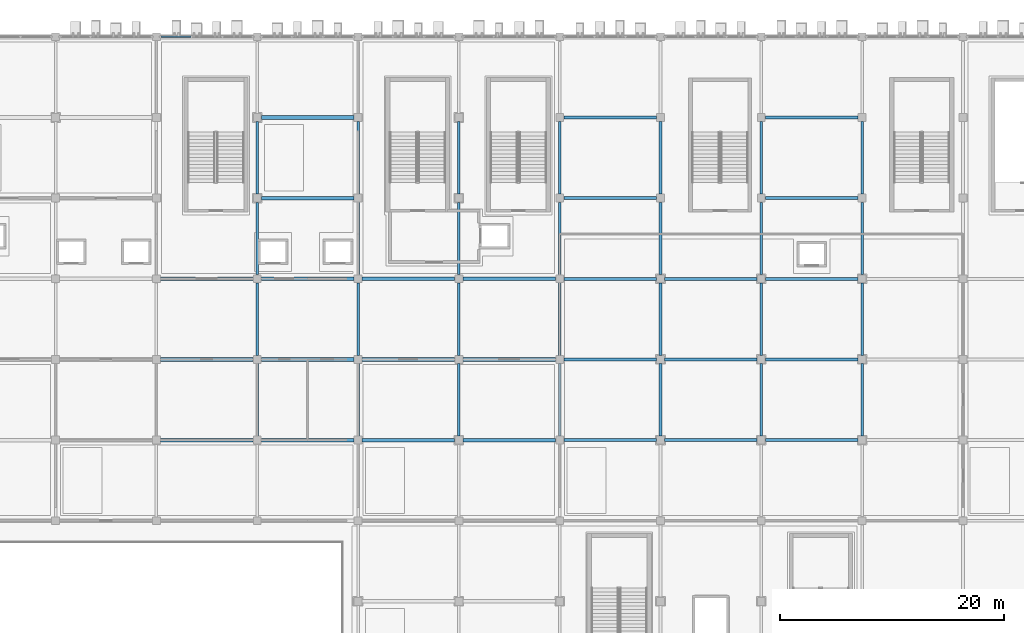
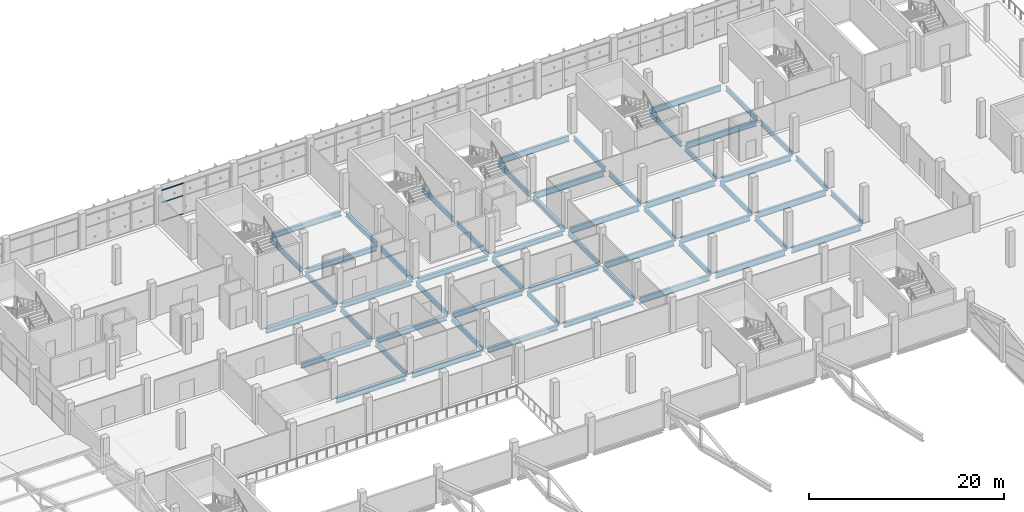
# One storey, part 73 of 151: 55 beams, 3 members, 1 element without a shape of its own.
"""IFC4 building model written with IfcOpenShell, lengths in metres."""

from ifc_helpers import new_model, si_unit, direction, frame, origin, origin_2d, place, context, subcontext, project, spatial, hollow_rectangle, i_section, extrude, material, layer, layer_set, material_profile, profile_set, type_object, element, aggregate, save


model = new_model("IFC4")

# Units and contexts
model_context = context("Model", 3, precision=1e-05, world=origin(), true_north=direction((0.0, 1.0)))
body_context = subcontext(model_context, "Body", "Model", "MODEL_VIEW")
ifc_project = project(units=[si_unit("LENGTHUNIT", "METRE"), si_unit("AREAUNIT", "SQUARE_METRE"), si_unit("VOLUMEUNIT", "CUBIC_METRE"), si_unit("PLANEANGLEUNIT", "RADIAN"), si_unit("MASSUNIT", "GRAM", prefix="KILO")], contexts=[model_context])

# Site, building, storey
site_placement = place(None, origin())
site = spatial("IfcSite", under=ifc_project, at=site_placement, CompositionType="ELEMENT")
building_placement = place(site_placement, origin())
building = spatial("IfcBuilding", under=site, at=building_placement, Name="Celestram Park Convention Centre", CompositionType="ELEMENT")
storey_placement = place(building_placement, frame((0.0, 0.0, 10.800048828125)))
storey = spatial("IfcBuildingStorey", under=building, at=storey_placement, Name="L02", CompositionType="ELEMENT", Elevation=10.800048828125)

# Curtain wall, members
ifc_material_1 = material(Name="Anodised Aluminium Alloy 6063-T6", Category="aluminium")
ifc_layer = layer(ifc_material_1, 0.179931640625)
ifc_layer_set = layer_set([ifc_layer], Name="Anodised Aluminium Alloy 6063-T6")
curtain_wall_type = type_object("IfcCurtainWallType", Name="ARC-CW-830X389", PredefinedType="NOTDEFINED", material=ifc_layer_set)
curtain_wall_placement = place(storey_placement, origin())
curtain_wall = element("IfcCurtainWall", 1, at=curtain_wall_placement, inside=storey, type_object=curtain_wall_type, Name="Unitised curtain wall CU-L02-153", PredefinedType="NOTDEFINED")
ifc_material_profile_1 = material_profile(ifc_material_1, hollow_rectangle(XDim=0.14990234375, YDim=0.06494140625, WallThickness=0.0029296875, at=origin_2d()), Name="ALU150X65X3")
ifc_profile_set_1 = profile_set([ifc_material_profile_1], Name="Anodised Aluminium Alloy 6063-T6")
member_type = type_object("IfcMemberType", Name="ARC-CWT-150", PredefinedType="USERDEFINED", material=ifc_profile_set_1)
member_1_placement = place(storey_placement, frame((63.423095703125, 165.60009765625, 0.032470703125), z_axis=(1.0, 0.0, 0.0), x_axis=(0.0, 1.0, 0.0)))
member_1 = element("IfcMember", 2, at=member_1_placement, type_object=member_type, Name="CW-83X38 transom 1.1", ObjectType="TRANSOM", PredefinedType="USERDEFINED", context=body_context, shape_type="SweptSolid", body=[
    extrude(hollow_rectangle(XDim=0.14990234375, YDim=0.06494140625, WallThickness=0.0029296875, at=origin_2d()), origin(), (0.0, 0.0, 1.0), 2.655517578125),
])
member_2_placement = place(storey_placement, frame((63.423095703125, 165.60009765625, 2.3359375), z_axis=(1.0, 0.0, 0.0), x_axis=(0.0, 1.0, 0.0)))
member_2 = element("IfcMember", 3, at=member_2_placement, type_object=member_type, Name="CW-83X38 transom 1.2", ObjectType="TRANSOM", PredefinedType="USERDEFINED", context=body_context, shape_type="SweptSolid", body=[
    extrude(hollow_rectangle(XDim=0.14990234375, YDim=0.06494140625, WallThickness=0.0029296875, at=origin_2d()), origin(), (0.0, 0.0, 1.0), 2.655517578125),
])
member_3_placement = place(storey_placement, frame((63.423095703125, 165.60009765625, 3.861572265625), z_axis=(1.0, 0.0, 0.0), x_axis=(0.0, 1.0, 0.0)))
member_3 = element("IfcMember", 4, at=member_3_placement, type_object=member_type, Name="CW-83X38 transom 1.3", ObjectType="TRANSOM", PredefinedType="USERDEFINED", context=body_context, shape_type="SweptSolid", body=[
    extrude(hollow_rectangle(XDim=0.14990234375, YDim=0.06494140625, WallThickness=0.0029296875, at=origin_2d()), origin(), (0.0, 0.0, 1.0), 2.655517578125),
])
aggregate(curtain_wall, [member_1, member_2, member_3])

# Beams
ifc_material_2 = material(Name="Steel ASTM A992 Grade 50", Category="steel")
ifc_material_profile_2 = material_profile(ifc_material_2, i_section(OverallWidth=0.327880859375, OverallDepth=0.6220703125, WebThickness=0.015380859375, FlangeThickness=0.0244140625, at=origin_2d()), Name="W24X131")
ifc_profile_set_2 = profile_set([ifc_material_profile_2], Name="Steel ASTM A992 Grade 50")
beam_type_1 = type_object("IfcBeamType", Name="STR-BM-W24X131", PredefinedType="BEAM", material=ifc_profile_set_2)
for number, where, z_axis, x_axis, name in (
    (5, (63.373046875, 129.60009765625, -0.591064453125), (1.0, 0.0, 0.0), (0.0, 1.0, 0.0), "Primary X-girder BG-L02-0057"),
    (6, (63.373046875, 136.800048828125, -0.591064453125), (1.0, 0.0, 0.0), (0.0, 1.0, 0.0), "Primary X-girder BG-L02-0059"),
    (7, (63.373046875, 144.0, -0.591064453125), (1.0, 0.0, 0.0), (0.0, 1.0, 0.0), "Primary X-girder BG-L02-0061"),
    (8, (72.373046875, 129.60009765625, -0.591064453125), (1.0, 0.0, 0.0), (0.0, 1.0, 0.0), "Primary X-girder BG-L02-0069"),
    (9, (72.373046875, 136.800048828125, -0.591064453125), (1.0, 0.0, 0.0), (0.0, 1.0, 0.0), "Primary X-girder BG-L02-0071"),
    (10, (72.373046875, 144.0, -0.591064453125), (1.0, 0.0, 0.0), (0.0, 1.0, 0.0), "Primary X-girder BG-L02-0073"),
    (11, (72.373046875, 151.199951171875, -0.591064453125), (1.0, 0.0, 0.0), (0.0, 1.0, 0.0), "Primary X-girder BG-L02-0075"),
    (12, (72.373046875, 158.39990234375, -0.591064453125), (1.0, 0.0, 0.0), (0.0, 1.0, 0.0), "Primary X-girder BG-L02-0077"),
    (13, (81.373046875, 129.60009765625, -0.591064453125), (1.0, 0.0, 0.0), (0.0, 1.0, 0.0), "Primary X-girder BG-L02-0086"),
    (14, (81.373046875, 136.800048828125, -0.591064453125), (1.0, 0.0, 0.0), (0.0, 1.0, 0.0), "Primary X-girder BG-L02-0088"),
    (15, (81.373046875, 144.0, -0.591064453125), (1.0, 0.0, 0.0), (0.0, 1.0, 0.0), "Primary X-girder BG-L02-0090"),
    (16, (90.373046875, 129.60009765625, -0.591064453125), (1.0, 0.0, 0.0), (0.0, 1.0, 0.0), "Primary X-girder BG-L02-0101"),
    (17, (90.373046875, 136.800048828125, -0.591064453125), (1.0, 0.0, 0.0), (0.0, 1.0, 0.0), "Primary X-girder BG-L02-0103"),
    (18, (90.373046875, 144.0, -0.591064453125), (1.0, 0.0, 0.0), (0.0, 1.0, 0.0), "Primary X-girder BG-L02-0105"),
):
    element("IfcBeam", number, at=place(storey_placement, frame(where, z_axis=z_axis, x_axis=x_axis)), inside=storey, type_object=beam_type_1, Name=name, PredefinedType="BEAM", context=body_context, shape_type="SweptSolid", body=[
        extrude(i_section(OverallWidth=0.327880859375, OverallDepth=0.6220703125, WebThickness=0.015380859375, FlangeThickness=0.0244140625, at=origin_2d()), origin(), (0.0, 0.0, 1.0), 8.25390625),
    ])
ifc_material_profile_3 = material_profile(ifc_material_2, i_section(OverallWidth=0.22900390625, OverallDepth=0.612060546875, WebThickness=0.011962890625, FlangeThickness=0.01953125, at=origin_2d()), Name="W24X84")
ifc_profile_set_3 = profile_set([ifc_material_profile_3], Name="Steel ASTM A992 Grade 50")
beam_type_2 = type_object("IfcBeamType", Name="STR-BM-W24X84", PredefinedType="BEAM", material=ifc_profile_set_3)
beam_1_placement = place(storey_placement, frame((72.0, 129.972900390625, -0.5859375), z_axis=(0.0, 1.0, 0.0), x_axis=(-1.0, 0.0, 0.0)))
element("IfcBeam", 19, at=beam_1_placement, inside=storey, type_object=beam_type_2, Name="Primary Y-girder BG-L02-0070", PredefinedType="BEAM", context=body_context, shape_type="SweptSolid", body=[
    extrude(i_section(OverallWidth=0.22900390625, OverallDepth=0.612060546875, WebThickness=0.011962890625, FlangeThickness=0.01953125, at=origin_2d()), origin(), (0.0, 0.0, 1.0), 6.4541015625),
])
for number, where, z_axis, x_axis, name in (
    (20, (72.0, 137.173095703125, -0.5859375), (0.0, 1.0, 0.0), (-1.0, 0.0, 0.0), "Primary Y-girder BG-L02-0072"),
    (21, (72.0, 144.373046875, -0.5859375), (0.0, 1.0, 0.0), (-1.0, 0.0, 0.0), "Primary Y-girder BG-L02-0074"),
):
    element("IfcBeam", number, at=place(storey_placement, frame(where, z_axis=z_axis, x_axis=x_axis)), inside=storey, type_object=beam_type_2, Name=name, PredefinedType="BEAM", context=body_context, shape_type="SweptSolid", body=[
        extrude(i_section(OverallWidth=0.22900390625, OverallDepth=0.612060546875, WebThickness=0.011962890625, FlangeThickness=0.01953125, at=origin_2d()), origin(), (0.0, 0.0, 1.0), 6.453857421875),
    ])
for number, where, z_axis, x_axis, name in (
    (22, (72.0, 151.572998046875, -0.5859375), (0.0, 1.0, 0.0), (-1.0, 0.0, 0.0), "Primary Y-girder BG-L02-0076"),
    (23, (81.0, 129.972900390625, -0.5859375), (0.0, 1.0, 0.0), (-1.0, 0.0, 0.0), "Primary Y-girder BG-L02-0087"),
):
    element("IfcBeam", number, at=place(storey_placement, frame(where, z_axis=z_axis, x_axis=x_axis)), inside=storey, type_object=beam_type_2, Name=name, PredefinedType="BEAM", context=body_context, shape_type="SweptSolid", body=[
        extrude(i_section(OverallWidth=0.22900390625, OverallDepth=0.612060546875, WebThickness=0.011962890625, FlangeThickness=0.01953125, at=origin_2d()), origin(), (0.0, 0.0, 1.0), 6.4541015625),
    ])
for number, where, z_axis, x_axis, name in (
    (24, (81.0, 137.173095703125, -0.5859375), (0.0, 1.0, 0.0), (-1.0, 0.0, 0.0), "Primary Y-girder BG-L02-0089"),
    (25, (81.0, 144.373046875, -0.5859375), (0.0, 1.0, 0.0), (-1.0, 0.0, 0.0), "Primary Y-girder BG-L02-0091"),
):
    element("IfcBeam", number, at=place(storey_placement, frame(where, z_axis=z_axis, x_axis=x_axis)), inside=storey, type_object=beam_type_2, Name=name, PredefinedType="BEAM", context=body_context, shape_type="SweptSolid", body=[
        extrude(i_section(OverallWidth=0.22900390625, OverallDepth=0.612060546875, WebThickness=0.011962890625, FlangeThickness=0.01953125, at=origin_2d()), origin(), (0.0, 0.0, 1.0), 6.453857421875),
    ])
for number, where, z_axis, x_axis, name in (
    (26, (81.0, 151.572998046875, -0.5859375), (0.0, 1.0, 0.0), (-1.0, 0.0, 0.0), "Primary Y-girder BG-L02-0092"),
    (27, (90.0, 129.972900390625, -0.5859375), (0.0, 1.0, 0.0), (-1.0, 0.0, 0.0), "Primary Y-girder BG-L02-0102"),
):
    element("IfcBeam", number, at=place(storey_placement, frame(where, z_axis=z_axis, x_axis=x_axis)), inside=storey, type_object=beam_type_2, Name=name, PredefinedType="BEAM", context=body_context, shape_type="SweptSolid", body=[
        extrude(i_section(OverallWidth=0.22900390625, OverallDepth=0.612060546875, WebThickness=0.011962890625, FlangeThickness=0.01953125, at=origin_2d()), origin(), (0.0, 0.0, 1.0), 6.4541015625),
    ])
for number, where, z_axis, x_axis, name in (
    (28, (90.0, 137.173095703125, -0.5859375), (0.0, 1.0, 0.0), (-1.0, 0.0, 0.0), "Primary Y-girder BG-L02-0104"),
    (29, (90.0, 144.373046875, -0.5859375), (0.0, 1.0, 0.0), (-1.0, 0.0, 0.0), "Primary Y-girder BG-L02-0106"),
):
    element("IfcBeam", number, at=place(storey_placement, frame(where, z_axis=z_axis, x_axis=x_axis)), inside=storey, type_object=beam_type_2, Name=name, PredefinedType="BEAM", context=body_context, shape_type="SweptSolid", body=[
        extrude(i_section(OverallWidth=0.22900390625, OverallDepth=0.612060546875, WebThickness=0.011962890625, FlangeThickness=0.01953125, at=origin_2d()), origin(), (0.0, 0.0, 1.0), 6.453857421875),
    ])
for number, where, z_axis, x_axis, name in (
    (30, (90.0, 151.572998046875, -0.5859375), (0.0, 1.0, 0.0), (-1.0, 0.0, 0.0), "Primary Y-girder BG-L02-0107"),
    (31, (99.0, 129.972900390625, -0.5859375), (0.0, 1.0, 0.0), (-1.0, 0.0, 0.0), "Primary Y-girder BG-L02-0116"),
):
    element("IfcBeam", number, at=place(storey_placement, frame(where, z_axis=z_axis, x_axis=x_axis)), inside=storey, type_object=beam_type_2, Name=name, PredefinedType="BEAM", context=body_context, shape_type="SweptSolid", body=[
        extrude(i_section(OverallWidth=0.22900390625, OverallDepth=0.612060546875, WebThickness=0.011962890625, FlangeThickness=0.01953125, at=origin_2d()), origin(), (0.0, 0.0, 1.0), 6.4541015625),
    ])
for number, where, z_axis, x_axis, name in (
    (32, (99.0, 137.173095703125, -0.5859375), (0.0, 1.0, 0.0), (-1.0, 0.0, 0.0), "Primary Y-girder BG-L02-0118"),
    (33, (99.0, 144.373046875, -0.5859375), (0.0, 1.0, 0.0), (-1.0, 0.0, 0.0), "Primary Y-girder BG-L02-0120"),
):
    element("IfcBeam", number, at=place(storey_placement, frame(where, z_axis=z_axis, x_axis=x_axis)), inside=storey, type_object=beam_type_2, Name=name, PredefinedType="BEAM", context=body_context, shape_type="SweptSolid", body=[
        extrude(i_section(OverallWidth=0.22900390625, OverallDepth=0.612060546875, WebThickness=0.011962890625, FlangeThickness=0.01953125, at=origin_2d()), origin(), (0.0, 0.0, 1.0), 6.453857421875),
    ])
for number, where, z_axis, x_axis, name in (
    (34, (99.0, 151.572998046875, -0.5859375), (0.0, 1.0, 0.0), (-1.0, 0.0, 0.0), "Primary Y-girder BG-L02-0122"),
    (35, (108.0, 129.972900390625, -0.5859375), (0.0, 1.0, 0.0), (-1.0, 0.0, 0.0), "Primary Y-girder BG-L02-0132"),
):
    element("IfcBeam", number, at=place(storey_placement, frame(where, z_axis=z_axis, x_axis=x_axis)), inside=storey, type_object=beam_type_2, Name=name, PredefinedType="BEAM", context=body_context, shape_type="SweptSolid", body=[
        extrude(i_section(OverallWidth=0.22900390625, OverallDepth=0.612060546875, WebThickness=0.011962890625, FlangeThickness=0.01953125, at=origin_2d()), origin(), (0.0, 0.0, 1.0), 6.4541015625),
    ])
for number, where, z_axis, x_axis, name in (
    (36, (108.0, 137.173095703125, -0.5859375), (0.0, 1.0, 0.0), (-1.0, 0.0, 0.0), "Primary Y-girder BG-L02-0134"),
    (37, (108.0, 144.373046875, -0.5859375), (0.0, 1.0, 0.0), (-1.0, 0.0, 0.0), "Primary Y-girder BG-L02-0136"),
):
    element("IfcBeam", number, at=place(storey_placement, frame(where, z_axis=z_axis, x_axis=x_axis)), inside=storey, type_object=beam_type_2, Name=name, PredefinedType="BEAM", context=body_context, shape_type="SweptSolid", body=[
        extrude(i_section(OverallWidth=0.22900390625, OverallDepth=0.612060546875, WebThickness=0.011962890625, FlangeThickness=0.01953125, at=origin_2d()), origin(), (0.0, 0.0, 1.0), 6.453857421875),
    ])
for number, where, z_axis, x_axis, name in (
    (38, (108.0, 151.572998046875, -0.5859375), (0.0, 1.0, 0.0), (-1.0, 0.0, 0.0), "Primary Y-girder BG-L02-0137"),
    (39, (117.0, 129.972900390625, -0.5859375), (0.0, 1.0, 0.0), (-1.0, 0.0, 0.0), "Primary Y-girder BG-L02-0146"),
):
    element("IfcBeam", number, at=place(storey_placement, frame(where, z_axis=z_axis, x_axis=x_axis)), inside=storey, type_object=beam_type_2, Name=name, PredefinedType="BEAM", context=body_context, shape_type="SweptSolid", body=[
        extrude(i_section(OverallWidth=0.22900390625, OverallDepth=0.612060546875, WebThickness=0.011962890625, FlangeThickness=0.01953125, at=origin_2d()), origin(), (0.0, 0.0, 1.0), 6.4541015625),
    ])
for number, where, z_axis, x_axis, name in (
    (40, (117.0, 137.173095703125, -0.5859375), (0.0, 1.0, 0.0), (-1.0, 0.0, 0.0), "Primary Y-girder BG-L02-0148"),
    (41, (117.0, 144.373046875, -0.5859375), (0.0, 1.0, 0.0), (-1.0, 0.0, 0.0), "Primary Y-girder BG-L02-0150"),
):
    element("IfcBeam", number, at=place(storey_placement, frame(where, z_axis=z_axis, x_axis=x_axis)), inside=storey, type_object=beam_type_2, Name=name, PredefinedType="BEAM", context=body_context, shape_type="SweptSolid", body=[
        extrude(i_section(OverallWidth=0.22900390625, OverallDepth=0.612060546875, WebThickness=0.011962890625, FlangeThickness=0.01953125, at=origin_2d()), origin(), (0.0, 0.0, 1.0), 6.453857421875),
    ])
for number, where, z_axis, x_axis, name in (
    (42, (117.0, 151.572998046875, -0.5859375), (0.0, 1.0, 0.0), (-1.0, 0.0, 0.0), "Primary Y-girder BG-L02-0152"),
    (43, (126.0, 129.972900390625, -0.5859375), (0.0, 1.0, 0.0), (-1.0, 0.0, 0.0), "Primary Y-girder BG-L02-0186"),
):
    element("IfcBeam", number, at=place(storey_placement, frame(where, z_axis=z_axis, x_axis=x_axis)), inside=storey, type_object=beam_type_2, Name=name, PredefinedType="BEAM", context=body_context, shape_type="SweptSolid", body=[
        extrude(i_section(OverallWidth=0.22900390625, OverallDepth=0.612060546875, WebThickness=0.011962890625, FlangeThickness=0.01953125, at=origin_2d()), origin(), (0.0, 0.0, 1.0), 6.4541015625),
    ])
for number, where, z_axis, x_axis, name in (
    (44, (126.0, 137.173095703125, -0.5859375), (0.0, 1.0, 0.0), (-1.0, 0.0, 0.0), "Primary Y-girder BG-L02-0188"),
    (45, (126.0, 144.373046875, -0.5859375), (0.0, 1.0, 0.0), (-1.0, 0.0, 0.0), "Primary Y-girder BG-L02-0190"),
):
    element("IfcBeam", number, at=place(storey_placement, frame(where, z_axis=z_axis, x_axis=x_axis)), inside=storey, type_object=beam_type_2, Name=name, PredefinedType="BEAM", context=body_context, shape_type="SweptSolid", body=[
        extrude(i_section(OverallWidth=0.22900390625, OverallDepth=0.612060546875, WebThickness=0.011962890625, FlangeThickness=0.01953125, at=origin_2d()), origin(), (0.0, 0.0, 1.0), 6.453857421875),
    ])
beam_2_placement = place(storey_placement, frame((126.0, 151.572998046875, -0.5859375), z_axis=(0.0, 1.0, 0.0), x_axis=(-1.0, 0.0, 0.0)))
element("IfcBeam", 46, at=beam_2_placement, inside=storey, type_object=beam_type_2, Name="Primary Y-girder BG-L02-0191", PredefinedType="BEAM", context=body_context, shape_type="SweptSolid", body=[
    extrude(i_section(OverallWidth=0.22900390625, OverallDepth=0.612060546875, WebThickness=0.011962890625, FlangeThickness=0.01953125, at=origin_2d()), origin(), (0.0, 0.0, 1.0), 6.4541015625),
])
ifc_material_profile_4 = material_profile(ifc_material_2, i_section(OverallWidth=0.26708984375, OverallDepth=0.761962890625, WebThickness=0.014404296875, FlangeThickness=0.021484375, at=origin_2d()), Name="W30X116")
ifc_profile_set_4 = profile_set([ifc_material_profile_4], Name="Steel ASTM A992 Grade 50")
beam_type_3 = type_object("IfcBeamType", Name="STR-BM-W30X116", PredefinedType="BEAM", material=ifc_profile_set_4)
for number, where, z_axis, x_axis, name in (
    (47, (99.373046875, 129.60009765625, -0.6611328125), (1.0, 0.0, 0.0), (0.0, 1.0, 0.0), "Primary X-girder BG-L02-0115"),
    (48, (99.373046875, 136.800048828125, -0.6611328125), (1.0, 0.0, 0.0), (0.0, 1.0, 0.0), "Primary X-girder BG-L02-0117"),
    (49, (99.373046875, 144.0, -0.6611328125), (1.0, 0.0, 0.0), (0.0, 1.0, 0.0), "Primary X-girder BG-L02-0119"),
    (50, (99.373046875, 151.199951171875, -0.6611328125), (1.0, 0.0, 0.0), (0.0, 1.0, 0.0), "Primary X-girder BG-L02-0121"),
    (51, (99.373046875, 158.39990234375, -0.6611328125), (1.0, 0.0, 0.0), (0.0, 1.0, 0.0), "Primary X-girder BG-L02-0123"),
    (52, (108.373046875, 129.60009765625, -0.6611328125), (1.0, 0.0, 0.0), (0.0, 1.0, 0.0), "Primary X-girder BG-L02-0131"),
    (53, (108.373046875, 136.800048828125, -0.6611328125), (1.0, 0.0, 0.0), (0.0, 1.0, 0.0), "Primary X-girder BG-L02-0133"),
    (54, (108.373046875, 144.0, -0.6611328125), (1.0, 0.0, 0.0), (0.0, 1.0, 0.0), "Primary X-girder BG-L02-0135"),
    (55, (117.373046875, 129.60009765625, -0.6611328125), (1.0, 0.0, 0.0), (0.0, 1.0, 0.0), "Primary X-girder BG-L02-0145"),
    (56, (117.373046875, 136.800048828125, -0.6611328125), (1.0, 0.0, 0.0), (0.0, 1.0, 0.0), "Primary X-girder BG-L02-0147"),
    (57, (117.373046875, 144.0, -0.6611328125), (1.0, 0.0, 0.0), (0.0, 1.0, 0.0), "Primary X-girder BG-L02-0149"),
    (58, (117.373046875, 151.199951171875, -0.6611328125), (1.0, 0.0, 0.0), (0.0, 1.0, 0.0), "Primary X-girder BG-L02-0151"),
    (59, (117.373046875, 158.39990234375, -0.6611328125), (1.0, 0.0, 0.0), (0.0, 1.0, 0.0), "Primary X-girder BG-L02-0153"),
):
    element("IfcBeam", number, at=place(storey_placement, frame(where, z_axis=z_axis, x_axis=x_axis)), inside=storey, type_object=beam_type_3, Name=name, PredefinedType="BEAM", context=body_context, shape_type="SweptSolid", body=[
        extrude(i_section(OverallWidth=0.26708984375, OverallDepth=0.761962890625, WebThickness=0.014404296875, FlangeThickness=0.021484375, at=origin_2d()), origin(), (0.0, 0.0, 1.0), 8.25390625),
    ])

save(model, "model.ifc")
